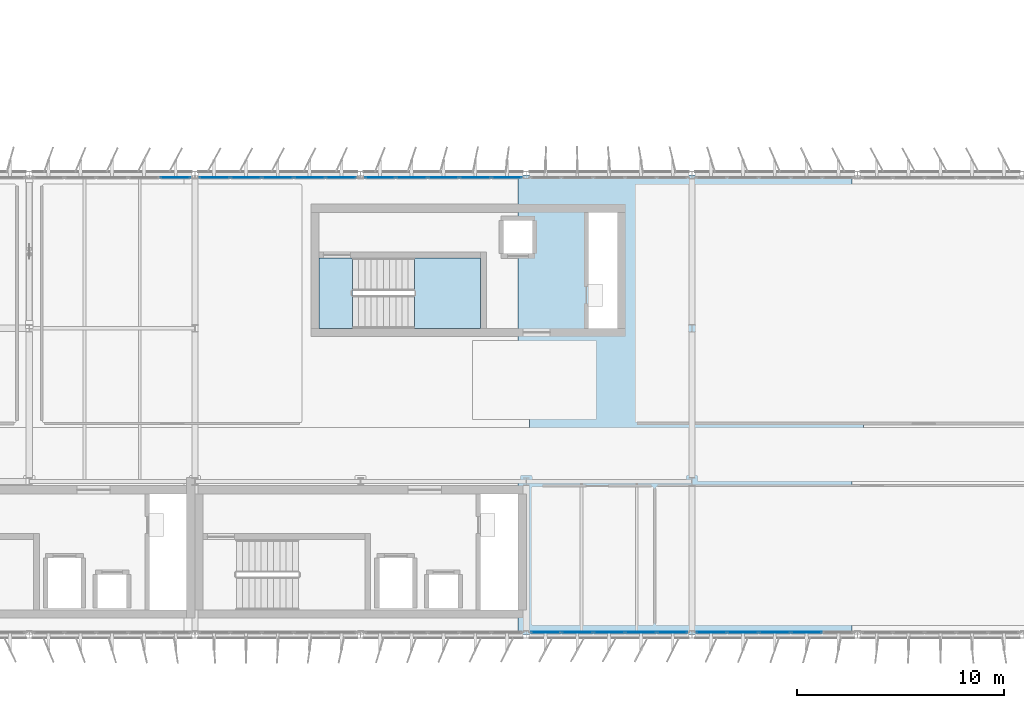
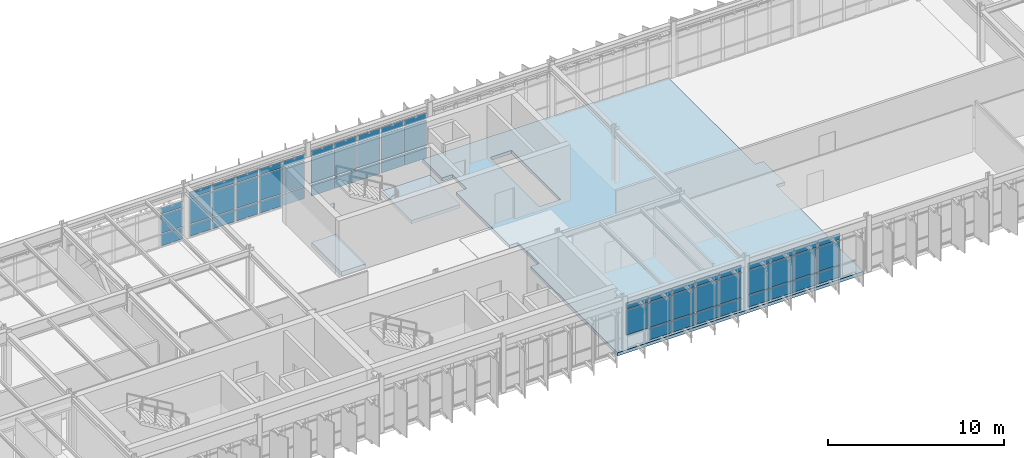
# One storey, part 26 of 45: 59 plates, 3 slabs, 6 elements without a shape of their own.
"""IFC4 building model written with IfcOpenShell, lengths in metres."""

from ifc_helpers import new_model, si_unit, direction, frame, origin, origin_2d, place, context, subcontext, project, spatial, polyline, rectangle, outline, extrude, material, layer, layer_set, type_object, element, aggregate, save


model = new_model("IFC4")

# Units and contexts
model_context = context("Model", 3, precision=1e-05, world=origin(), true_north=direction((0.0, 1.0)))
body_context = subcontext(model_context, "Body", "Model", "MODEL_VIEW")
ifc_project = project(units=[si_unit("LENGTHUNIT", "METRE"), si_unit("AREAUNIT", "SQUARE_METRE"), si_unit("VOLUMEUNIT", "CUBIC_METRE"), si_unit("PLANEANGLEUNIT", "RADIAN"), si_unit("MASSUNIT", "GRAM", prefix="KILO")], contexts=[model_context])

# Site, building, storey
site_placement = place(None, origin())
site = spatial("IfcSite", under=ifc_project, at=site_placement, CompositionType="ELEMENT")
building_placement = place(site_placement, origin())
building = spatial("IfcBuilding", under=site, at=building_placement, Name="Valkorina Park Police Headquarters", CompositionType="ELEMENT")
storey_placement = place(building_placement, frame((0.0, 0.0, 23.300048828125)))
storey = spatial("IfcBuildingStorey", under=building, at=storey_placement, Name="L06", CompositionType="ELEMENT", Elevation=23.300048828125)

# Curtain wall, plate
ifc_material_1 = material(Name="Thermally broken aluminium AW-6060", Category="aluminium")
ifc_layer_1 = layer(ifc_material_1, 0.18994140625)
ifc_layer_set_1 = layer_set([ifc_layer_1], Name="Thermally broken aluminium AW-6060")
curtain_wall_type_1 = type_object("IfcCurtainWallType", Name="CW-V5-7680x2770", PredefinedType="NOTDEFINED", material=ifc_layer_set_1)
curtain_wall_1_placement = place(storey_placement, origin())
curtain_wall_1 = element("IfcCurtainWall", 1, at=curtain_wall_1_placement, inside=storey, type_object=curtain_wall_type_1, Name="L06 Unitised Curtain Wall 103", PredefinedType="NOTDEFINED")
ifc_layer_2 = layer(ifc_material_1, 0.050048828125)
ifc_layer_set_2 = layer_set([ifc_layer_2], Name="Thermally broken aluminium AW-6060")
plate_type_1 = type_object("IfcPlateType", Name="PL-CWP-SPANDREL-50", PredefinedType="CURTAIN_PANEL", material=ifc_layer_set_2)
plate_1_placement = place(storey_placement, frame((31.8544921875, 59.080078125, 0.070068359375), z_axis=(0.0, 0.0, 1.0), x_axis=(1.0, 0.0, 0.0)))
plate_1 = element("IfcPlate", 2, at=plate_1_placement, type_object=plate_type_1, Name="CW-V5-768-277 panel 5.1", PredefinedType="CURTAIN_PANEL", context=body_context, shape_type="SweptSolid", body=[
    extrude(rectangle(XDim=1.430908203125, YDim=0.028076171875, at=origin_2d()), origin(), (0.0, 0.0, 1.0), 0.794921875),
])

# Curtain wall, plates
ifc_layer_3 = layer(ifc_material_1, 0.18994140625)
ifc_layer_set_3 = layer_set([ifc_layer_3], Name="Thermally broken aluminium AW-6060")
curtain_wall_type_2 = type_object("IfcCurtainWallType", Name="CW-V5-7680x3220", PredefinedType="NOTDEFINED", material=ifc_layer_set_3)
curtain_wall_2_placement = place(storey_placement, origin())
curtain_wall_2 = element("IfcCurtainWall", 3, at=curtain_wall_2_placement, inside=storey, type_object=curtain_wall_type_2, Name="L06 Unitised Curtain Wall 104", PredefinedType="NOTDEFINED")
plate_2_placement = place(storey_placement, frame((33.74560546875, 59.080078125, 0.070068359375), z_axis=(0.0, 0.0, 1.0), x_axis=(1.0, 0.0, 0.0)))
plate_2 = element("IfcPlate", 4, at=plate_2_placement, type_object=plate_type_1, Name="CW-V5-768-322 panel 1.1", PredefinedType="CURTAIN_PANEL", context=body_context, shape_type="SweptSolid", body=[
    extrude(rectangle(XDim=1.430908203125, YDim=0.028076171875, at=origin_2d()), origin(), (0.0, 0.0, 1.0), 0.794921875),
])
plate_3_placement = place(storey_placement, frame((35.263916015625, 59.080078125, 0.070068359375), z_axis=(0.0, 0.0, 1.0), x_axis=(1.0, 0.0, 0.0)))
plate_3 = element("IfcPlate", 5, at=plate_3_placement, type_object=plate_type_1, Name="CW-V5-768-322 panel 2.1", PredefinedType="CURTAIN_PANEL", context=body_context, shape_type="SweptSolid", body=[
    extrude(rectangle(XDim=1.466064453125, YDim=0.028076171875, at=origin_2d()), origin(), (0.0, 0.0, 1.0), 0.794921875),
])
plate_4_placement = place(storey_placement, frame((36.800048828125, 59.080078125, 0.070068359375), z_axis=(0.0, 0.0, 1.0), x_axis=(1.0, 0.0, 0.0)))
plate_4 = element("IfcPlate", 6, at=plate_4_placement, type_object=plate_type_1, Name="CW-V5-768-322 panel 3.1", PredefinedType="CURTAIN_PANEL", context=body_context, shape_type="SweptSolid", body=[
    extrude(rectangle(XDim=1.466064453125, YDim=0.028076171875, at=origin_2d()), origin(), (0.0, 0.0, 1.0), 0.794921875),
])
plate_5_placement = place(storey_placement, frame((38.3359375, 59.080078125, 0.070068359375), z_axis=(0.0, 0.0, 1.0), x_axis=(1.0, 0.0, 0.0)))
plate_5 = element("IfcPlate", 7, at=plate_5_placement, type_object=plate_type_1, Name="CW-V5-768-322 panel 4.1", PredefinedType="CURTAIN_PANEL", context=body_context, shape_type="SweptSolid", body=[
    extrude(rectangle(XDim=1.466064453125, YDim=0.028076171875, at=origin_2d()), origin(), (0.0, 0.0, 1.0), 0.794921875),
])
plate_6_placement = place(storey_placement, frame((39.8544921875, 59.080078125, 0.070068359375), z_axis=(0.0, 0.0, 1.0), x_axis=(1.0, 0.0, 0.0)))
plate_6 = element("IfcPlate", 8, at=plate_6_placement, type_object=plate_type_1, Name="CW-V5-768-322 panel 5.1", PredefinedType="CURTAIN_PANEL", context=body_context, shape_type="SweptSolid", body=[
    extrude(rectangle(XDim=1.430908203125, YDim=0.028076171875, at=origin_2d()), origin(), (0.0, 0.0, 1.0), 0.794921875),
])

ifc_layer_4 = layer(ifc_material_1, 0.18994140625)
ifc_layer_set_4 = layer_set([ifc_layer_4], Name="Thermally broken aluminium AW-6060")
curtain_wall_type_3 = type_object("IfcCurtainWallType", Name="CW-V5-7680x3280", PredefinedType="NOTDEFINED", material=ifc_layer_set_4)
curtain_wall_3_placement = place(storey_placement, origin())
curtain_wall_3 = element("IfcCurtainWall", 9, at=curtain_wall_3_placement, inside=storey, type_object=curtain_wall_type_3, Name="L06 Unitised Curtain Wall 105", PredefinedType="NOTDEFINED")
plate_7_placement = place(storey_placement, frame((41.74560546875, 59.080078125, 0.070068359375), z_axis=(0.0, 0.0, 1.0), x_axis=(1.0, 0.0, 0.0)))
plate_7 = element("IfcPlate", 10, at=plate_7_placement, type_object=plate_type_1, Name="CW-V5-768-328 panel 1.1", PredefinedType="CURTAIN_PANEL", context=body_context, shape_type="SweptSolid", body=[
    extrude(rectangle(XDim=1.430908203125, YDim=0.028076171875, at=origin_2d()), origin(), (0.0, 0.0, 1.0), 0.794921875),
])
plate_8_placement = place(storey_placement, frame((43.263916015625, 59.080078125, 0.070068359375), z_axis=(0.0, 0.0, 1.0), x_axis=(1.0, 0.0, 0.0)))
plate_8 = element("IfcPlate", 11, at=plate_8_placement, type_object=plate_type_1, Name="CW-V5-768-328 panel 2.1", PredefinedType="CURTAIN_PANEL", context=body_context, shape_type="SweptSolid", body=[
    extrude(rectangle(XDim=1.466064453125, YDim=0.028076171875, at=origin_2d()), origin(), (0.0, 0.0, 1.0), 0.794921875),
])
plate_9_placement = place(storey_placement, frame((44.800048828125, 59.080078125, 0.070068359375), z_axis=(0.0, 0.0, 1.0), x_axis=(1.0, 0.0, 0.0)))
plate_9 = element("IfcPlate", 12, at=plate_9_placement, type_object=plate_type_1, Name="CW-V5-768-328 panel 3.1", PredefinedType="CURTAIN_PANEL", context=body_context, shape_type="SweptSolid", body=[
    extrude(rectangle(XDim=1.466064453125, YDim=0.028076171875, at=origin_2d()), origin(), (0.0, 0.0, 1.0), 0.794921875),
])
plate_10_placement = place(storey_placement, frame((46.3359375, 59.080078125, 0.070068359375), z_axis=(0.0, 0.0, 1.0), x_axis=(1.0, 0.0, 0.0)))
plate_10 = element("IfcPlate", 13, at=plate_10_placement, type_object=plate_type_1, Name="CW-V5-768-328 panel 4.1", PredefinedType="CURTAIN_PANEL", context=body_context, shape_type="SweptSolid", body=[
    extrude(rectangle(XDim=1.466064453125, YDim=0.028076171875, at=origin_2d()), origin(), (0.0, 0.0, 1.0), 0.794921875),
])
plate_11_placement = place(storey_placement, frame((47.8544921875, 59.080078125, 0.070068359375), z_axis=(0.0, 0.0, 1.0), x_axis=(1.0, 0.0, 0.0)))
plate_11 = element("IfcPlate", 14, at=plate_11_placement, type_object=plate_type_1, Name="CW-V5-768-328 panel 5.1", PredefinedType="CURTAIN_PANEL", context=body_context, shape_type="SweptSolid", body=[
    extrude(rectangle(XDim=1.430908203125, YDim=0.028076171875, at=origin_2d()), origin(), (0.0, 0.0, 1.0), 0.794921875),
])

ifc_layer_5 = layer(ifc_material_1, 0.18994140625)
ifc_layer_set_5 = layer_set([ifc_layer_5], Name="Thermally broken aluminium AW-6060")
curtain_wall_type_4 = type_object("IfcCurtainWallType", Name="CW-V5-7680x3170", PredefinedType="NOTDEFINED", material=ifc_layer_set_5)
curtain_wall_4_placement = place(storey_placement, origin())
curtain_wall_4 = element("IfcCurtainWall", 15, at=curtain_wall_4_placement, inside=storey, type_object=curtain_wall_type_4, Name="L06 Unitised Curtain Wall 125", PredefinedType="NOTDEFINED")
plate_12_placement = place(storey_placement, frame((62.3359375, 37.1201171875, 0.070068359375), z_axis=(0.0, 0.0, 1.0), x_axis=(-1.0, 0.0, 0.0)))
plate_12 = element("IfcPlate", 16, at=plate_12_placement, type_object=plate_type_1, Name="CW-V5-768-317 panel 2.1", PredefinedType="CURTAIN_PANEL", context=body_context, shape_type="SweptSolid", body=[
    extrude(rectangle(XDim=1.466064453125, YDim=0.028076171875, at=origin_2d()), origin(), (0.0, 0.0, 1.0), 0.794921875),
])
plate_13_placement = place(storey_placement, frame((60.800048828125, 37.1201171875, 0.070068359375), z_axis=(0.0, 0.0, 1.0), x_axis=(-1.0, 0.0, 0.0)))
plate_13 = element("IfcPlate", 17, at=plate_13_placement, type_object=plate_type_1, Name="CW-V5-768-317 panel 3.1", PredefinedType="CURTAIN_PANEL", context=body_context, shape_type="SweptSolid", body=[
    extrude(rectangle(XDim=1.466064453125, YDim=0.028076171875, at=origin_2d()), origin(), (0.0, 0.0, 1.0), 0.794921875),
])
plate_14_placement = place(storey_placement, frame((59.263916015625, 37.1201171875, 0.070068359375), z_axis=(0.0, 0.0, 1.0), x_axis=(-1.0, 0.0, 0.0)))
plate_14 = element("IfcPlate", 18, at=plate_14_placement, type_object=plate_type_1, Name="CW-V5-768-317 panel 4.1", PredefinedType="CURTAIN_PANEL", context=body_context, shape_type="SweptSolid", body=[
    extrude(rectangle(XDim=1.466064453125, YDim=0.028076171875, at=origin_2d()), origin(), (0.0, 0.0, 1.0), 0.794921875),
])
plate_15_placement = place(storey_placement, frame((57.74560546875, 37.1201171875, 0.070068359375), z_axis=(0.0, 0.0, 1.0), x_axis=(-1.0, 0.0, 0.0)))
plate_15 = element("IfcPlate", 19, at=plate_15_placement, type_object=plate_type_1, Name="CW-V5-768-317 panel 5.1", PredefinedType="CURTAIN_PANEL", context=body_context, shape_type="SweptSolid", body=[
    extrude(rectangle(XDim=1.430908203125, YDim=0.028076171875, at=origin_2d()), origin(), (0.0, 0.0, 1.0), 0.794921875),
])

curtain_wall_5_placement = place(storey_placement, origin())
curtain_wall_5 = element("IfcCurtainWall", 20, at=curtain_wall_5_placement, inside=storey, type_object=curtain_wall_type_2, Name="L06 Unitised Curtain Wall 126", PredefinedType="NOTDEFINED")
plate_16_placement = place(storey_placement, frame((55.8544921875, 37.1201171875, 0.070068359375), z_axis=(0.0, 0.0, 1.0), x_axis=(-1.0, 0.0, 0.0)))
plate_16 = element("IfcPlate", 21, at=plate_16_placement, type_object=plate_type_1, Name="CW-V5-768-322 panel 1.1", PredefinedType="CURTAIN_PANEL", context=body_context, shape_type="SweptSolid", body=[
    extrude(rectangle(XDim=1.430908203125, YDim=0.028076171875, at=origin_2d()), origin(), (0.0, 0.0, 1.0), 0.794921875),
])
plate_17_placement = place(storey_placement, frame((54.3359375, 37.1201171875, 0.070068359375), z_axis=(0.0, 0.0, 1.0), x_axis=(-1.0, 0.0, 0.0)))
plate_17 = element("IfcPlate", 22, at=plate_17_placement, type_object=plate_type_1, Name="CW-V5-768-322 panel 2.1", PredefinedType="CURTAIN_PANEL", context=body_context, shape_type="SweptSolid", body=[
    extrude(rectangle(XDim=1.466064453125, YDim=0.028076171875, at=origin_2d()), origin(), (0.0, 0.0, 1.0), 0.794921875),
])
plate_18_placement = place(storey_placement, frame((52.800048828125, 37.1201171875, 0.070068359375), z_axis=(0.0, 0.0, 1.0), x_axis=(-1.0, 0.0, 0.0)))
plate_18 = element("IfcPlate", 23, at=plate_18_placement, type_object=plate_type_1, Name="CW-V5-768-322 panel 3.1", PredefinedType="CURTAIN_PANEL", context=body_context, shape_type="SweptSolid", body=[
    extrude(rectangle(XDim=1.466064453125, YDim=0.028076171875, at=origin_2d()), origin(), (0.0, 0.0, 1.0), 0.794921875),
])
plate_19_placement = place(storey_placement, frame((51.263916015625, 37.1201171875, 0.070068359375), z_axis=(0.0, 0.0, 1.0), x_axis=(-1.0, 0.0, 0.0)))
plate_19 = element("IfcPlate", 24, at=plate_19_placement, type_object=plate_type_1, Name="CW-V5-768-322 panel 4.1", PredefinedType="CURTAIN_PANEL", context=body_context, shape_type="SweptSolid", body=[
    extrude(rectangle(XDim=1.466064453125, YDim=0.028076171875, at=origin_2d()), origin(), (0.0, 0.0, 1.0), 0.794921875),
])

# Plate
ifc_material_2 = material(Name="Triple low-E insulated glazing", Category="glass")
ifc_layer_6 = layer(ifc_material_2, 0.028076171875)
ifc_layer_set_6 = layer_set([ifc_layer_6], Name="Triple low-E insulated glazing")
plate_type_2 = type_object("IfcPlateType", Name="PL-CWP-VISION-28", PredefinedType="CURTAIN_PANEL", material=ifc_layer_set_6)
plate_20_placement = place(storey_placement, frame((31.8544921875, 59.080078125, 0.93505859375), z_axis=(0.0, 0.0, 1.0), x_axis=(1.0, 0.0, 0.0)))
plate_20 = element("IfcPlate", 25, at=plate_20_placement, type_object=plate_type_2, Name="CW-V5-768-277 panel 5.2", PredefinedType="CURTAIN_PANEL", context=body_context, shape_type="SweptSolid", body=[
    extrude(rectangle(XDim=1.430908203125, YDim=0.028076171875, at=origin_2d()), origin(), (0.0, 0.0, 1.0), 1.280029296875),
])

plate_21_placement = place(storey_placement, frame((31.8544921875, 59.080078125, 2.284912109375), z_axis=(0.0, 0.0, 1.0), x_axis=(1.0, 0.0, 0.0)))
plate_21 = element("IfcPlate", 26, at=plate_21_placement, type_object=plate_type_2, Name="CW-V5-768-277 panel 5.3", PredefinedType="CURTAIN_PANEL", context=body_context, shape_type="SweptSolid", body=[
    extrude(rectangle(XDim=1.430908203125, YDim=0.028076171875, at=origin_2d()), origin(), (0.0, 0.0, 1.0), 0.4150390625),
])

aggregate(curtain_wall_1, [plate_1, plate_20, plate_21])

plate_22_placement = place(storey_placement, frame((33.74560546875, 59.080078125, 0.93505859375), z_axis=(0.0, 0.0, 1.0), x_axis=(1.0, 0.0, 0.0)))
plate_22 = element("IfcPlate", 27, at=plate_22_placement, type_object=plate_type_2, Name="CW-V5-768-322 panel 1.2", PredefinedType="CURTAIN_PANEL", context=body_context, shape_type="SweptSolid", body=[
    extrude(rectangle(XDim=1.430908203125, YDim=0.028076171875, at=origin_2d()), origin(), (0.0, 0.0, 1.0), 1.72998046875),
])

plate_23_placement = place(storey_placement, frame((33.74560546875, 59.080078125, 2.73486328125), z_axis=(0.0, 0.0, 1.0), x_axis=(1.0, 0.0, 0.0)))
plate_23 = element("IfcPlate", 28, at=plate_23_placement, type_object=plate_type_2, Name="CW-V5-768-322 panel 1.3", PredefinedType="CURTAIN_PANEL", context=body_context, shape_type="SweptSolid", body=[
    extrude(rectangle(XDim=1.430908203125, YDim=0.028076171875, at=origin_2d()), origin(), (0.0, 0.0, 1.0), 0.4150390625),
])

plate_24_placement = place(storey_placement, frame((35.263916015625, 59.080078125, 0.93505859375), z_axis=(0.0, 0.0, 1.0), x_axis=(1.0, 0.0, 0.0)))
plate_24 = element("IfcPlate", 29, at=plate_24_placement, type_object=plate_type_2, Name="CW-V5-768-322 panel 2.2", PredefinedType="CURTAIN_PANEL", context=body_context, shape_type="SweptSolid", body=[
    extrude(rectangle(XDim=1.466064453125, YDim=0.028076171875, at=origin_2d()), origin(), (0.0, 0.0, 1.0), 1.72998046875),
])

plate_25_placement = place(storey_placement, frame((35.263916015625, 59.080078125, 2.73486328125), z_axis=(0.0, 0.0, 1.0), x_axis=(1.0, 0.0, 0.0)))
plate_25 = element("IfcPlate", 30, at=plate_25_placement, type_object=plate_type_2, Name="CW-V5-768-322 panel 2.3", PredefinedType="CURTAIN_PANEL", context=body_context, shape_type="SweptSolid", body=[
    extrude(rectangle(XDim=1.466064453125, YDim=0.028076171875, at=origin_2d()), origin(), (0.0, 0.0, 1.0), 0.4150390625),
])

plate_26_placement = place(storey_placement, frame((36.800048828125, 59.080078125, 0.93505859375), z_axis=(0.0, 0.0, 1.0), x_axis=(1.0, 0.0, 0.0)))
plate_26 = element("IfcPlate", 31, at=plate_26_placement, type_object=plate_type_2, Name="CW-V5-768-322 panel 3.2", PredefinedType="CURTAIN_PANEL", context=body_context, shape_type="SweptSolid", body=[
    extrude(rectangle(XDim=1.466064453125, YDim=0.028076171875, at=origin_2d()), origin(), (0.0, 0.0, 1.0), 1.72998046875),
])

plate_27_placement = place(storey_placement, frame((36.800048828125, 59.080078125, 2.73486328125), z_axis=(0.0, 0.0, 1.0), x_axis=(1.0, 0.0, 0.0)))
plate_27 = element("IfcPlate", 32, at=plate_27_placement, type_object=plate_type_2, Name="CW-V5-768-322 panel 3.3", PredefinedType="CURTAIN_PANEL", context=body_context, shape_type="SweptSolid", body=[
    extrude(rectangle(XDim=1.466064453125, YDim=0.028076171875, at=origin_2d()), origin(), (0.0, 0.0, 1.0), 0.4150390625),
])

plate_28_placement = place(storey_placement, frame((38.3359375, 59.080078125, 0.93505859375), z_axis=(0.0, 0.0, 1.0), x_axis=(1.0, 0.0, 0.0)))
plate_28 = element("IfcPlate", 33, at=plate_28_placement, type_object=plate_type_2, Name="CW-V5-768-322 panel 4.2", PredefinedType="CURTAIN_PANEL", context=body_context, shape_type="SweptSolid", body=[
    extrude(rectangle(XDim=1.466064453125, YDim=0.028076171875, at=origin_2d()), origin(), (0.0, 0.0, 1.0), 1.72998046875),
])

plate_29_placement = place(storey_placement, frame((38.3359375, 59.080078125, 2.73486328125), z_axis=(0.0, 0.0, 1.0), x_axis=(1.0, 0.0, 0.0)))
plate_29 = element("IfcPlate", 34, at=plate_29_placement, type_object=plate_type_2, Name="CW-V5-768-322 panel 4.3", PredefinedType="CURTAIN_PANEL", context=body_context, shape_type="SweptSolid", body=[
    extrude(rectangle(XDim=1.466064453125, YDim=0.028076171875, at=origin_2d()), origin(), (0.0, 0.0, 1.0), 0.4150390625),
])

plate_30_placement = place(storey_placement, frame((39.8544921875, 59.080078125, 0.93505859375), z_axis=(0.0, 0.0, 1.0), x_axis=(1.0, 0.0, 0.0)))
plate_30 = element("IfcPlate", 35, at=plate_30_placement, type_object=plate_type_2, Name="CW-V5-768-322 panel 5.2", PredefinedType="CURTAIN_PANEL", context=body_context, shape_type="SweptSolid", body=[
    extrude(rectangle(XDim=1.430908203125, YDim=0.028076171875, at=origin_2d()), origin(), (0.0, 0.0, 1.0), 1.72998046875),
])

plate_31_placement = place(storey_placement, frame((39.8544921875, 59.080078125, 2.73486328125), z_axis=(0.0, 0.0, 1.0), x_axis=(1.0, 0.0, 0.0)))
plate_31 = element("IfcPlate", 36, at=plate_31_placement, type_object=plate_type_2, Name="CW-V5-768-322 panel 5.3", PredefinedType="CURTAIN_PANEL", context=body_context, shape_type="SweptSolid", body=[
    extrude(rectangle(XDim=1.430908203125, YDim=0.028076171875, at=origin_2d()), origin(), (0.0, 0.0, 1.0), 0.4150390625),
])

aggregate(curtain_wall_2, [plate_2, plate_22, plate_23, plate_3, plate_24, plate_25, plate_4, plate_26, plate_27, plate_5, plate_28, plate_29, plate_6, plate_30, plate_31])

plate_32_placement = place(storey_placement, frame((41.74560546875, 59.080078125, 0.934814453125), z_axis=(0.0, 0.0, 1.0), x_axis=(1.0, 0.0, 0.0)))
plate_32 = element("IfcPlate", 37, at=plate_32_placement, type_object=plate_type_2, Name="CW-V5-768-328 panel 1.2", PredefinedType="CURTAIN_PANEL", context=body_context, shape_type="SweptSolid", body=[
    extrude(rectangle(XDim=1.430908203125, YDim=0.028076171875, at=origin_2d()), origin(), (0.0, 0.0, 1.0), 1.7900390625),
])

plate_33_placement = place(storey_placement, frame((41.74560546875, 59.080078125, 2.794921875), z_axis=(0.0, 0.0, 1.0), x_axis=(1.0, 0.0, 0.0)))
plate_33 = element("IfcPlate", 38, at=plate_33_placement, type_object=plate_type_2, Name="CW-V5-768-328 panel 1.3", PredefinedType="CURTAIN_PANEL", context=body_context, shape_type="SweptSolid", body=[
    extrude(rectangle(XDim=1.430908203125, YDim=0.028076171875, at=origin_2d()), origin(), (0.0, 0.0, 1.0), 0.4150390625),
])

plate_34_placement = place(storey_placement, frame((43.263916015625, 59.080078125, 0.934814453125), z_axis=(0.0, 0.0, 1.0), x_axis=(1.0, 0.0, 0.0)))
plate_34 = element("IfcPlate", 39, at=plate_34_placement, type_object=plate_type_2, Name="CW-V5-768-328 panel 2.2", PredefinedType="CURTAIN_PANEL", context=body_context, shape_type="SweptSolid", body=[
    extrude(rectangle(XDim=1.466064453125, YDim=0.028076171875, at=origin_2d()), origin(), (0.0, 0.0, 1.0), 1.7900390625),
])

plate_35_placement = place(storey_placement, frame((43.263916015625, 59.080078125, 2.794921875), z_axis=(0.0, 0.0, 1.0), x_axis=(1.0, 0.0, 0.0)))
plate_35 = element("IfcPlate", 40, at=plate_35_placement, type_object=plate_type_2, Name="CW-V5-768-328 panel 2.3", PredefinedType="CURTAIN_PANEL", context=body_context, shape_type="SweptSolid", body=[
    extrude(rectangle(XDim=1.466064453125, YDim=0.028076171875, at=origin_2d()), origin(), (0.0, 0.0, 1.0), 0.4150390625),
])

plate_36_placement = place(storey_placement, frame((44.800048828125, 59.080078125, 0.934814453125), z_axis=(0.0, 0.0, 1.0), x_axis=(1.0, 0.0, 0.0)))
plate_36 = element("IfcPlate", 41, at=plate_36_placement, type_object=plate_type_2, Name="CW-V5-768-328 panel 3.2", PredefinedType="CURTAIN_PANEL", context=body_context, shape_type="SweptSolid", body=[
    extrude(rectangle(XDim=1.466064453125, YDim=0.028076171875, at=origin_2d()), origin(), (0.0, 0.0, 1.0), 1.7900390625),
])

plate_37_placement = place(storey_placement, frame((44.800048828125, 59.080078125, 2.794921875), z_axis=(0.0, 0.0, 1.0), x_axis=(1.0, 0.0, 0.0)))
plate_37 = element("IfcPlate", 42, at=plate_37_placement, type_object=plate_type_2, Name="CW-V5-768-328 panel 3.3", PredefinedType="CURTAIN_PANEL", context=body_context, shape_type="SweptSolid", body=[
    extrude(rectangle(XDim=1.466064453125, YDim=0.028076171875, at=origin_2d()), origin(), (0.0, 0.0, 1.0), 0.4150390625),
])

plate_38_placement = place(storey_placement, frame((46.3359375, 59.080078125, 0.934814453125), z_axis=(0.0, 0.0, 1.0), x_axis=(1.0, 0.0, 0.0)))
plate_38 = element("IfcPlate", 43, at=plate_38_placement, type_object=plate_type_2, Name="CW-V5-768-328 panel 4.2", PredefinedType="CURTAIN_PANEL", context=body_context, shape_type="SweptSolid", body=[
    extrude(rectangle(XDim=1.466064453125, YDim=0.028076171875, at=origin_2d()), origin(), (0.0, 0.0, 1.0), 1.7900390625),
])

plate_39_placement = place(storey_placement, frame((46.3359375, 59.080078125, 2.794921875), z_axis=(0.0, 0.0, 1.0), x_axis=(1.0, 0.0, 0.0)))
plate_39 = element("IfcPlate", 44, at=plate_39_placement, type_object=plate_type_2, Name="CW-V5-768-328 panel 4.3", PredefinedType="CURTAIN_PANEL", context=body_context, shape_type="SweptSolid", body=[
    extrude(rectangle(XDim=1.466064453125, YDim=0.028076171875, at=origin_2d()), origin(), (0.0, 0.0, 1.0), 0.4150390625),
])

plate_40_placement = place(storey_placement, frame((47.8544921875, 59.080078125, 0.934814453125), z_axis=(0.0, 0.0, 1.0), x_axis=(1.0, 0.0, 0.0)))
plate_40 = element("IfcPlate", 45, at=plate_40_placement, type_object=plate_type_2, Name="CW-V5-768-328 panel 5.2", PredefinedType="CURTAIN_PANEL", context=body_context, shape_type="SweptSolid", body=[
    extrude(rectangle(XDim=1.430908203125, YDim=0.028076171875, at=origin_2d()), origin(), (0.0, 0.0, 1.0), 1.7900390625),
])

plate_41_placement = place(storey_placement, frame((47.8544921875, 59.080078125, 2.794921875), z_axis=(0.0, 0.0, 1.0), x_axis=(1.0, 0.0, 0.0)))
plate_41 = element("IfcPlate", 46, at=plate_41_placement, type_object=plate_type_2, Name="CW-V5-768-328 panel 5.3", PredefinedType="CURTAIN_PANEL", context=body_context, shape_type="SweptSolid", body=[
    extrude(rectangle(XDim=1.430908203125, YDim=0.028076171875, at=origin_2d()), origin(), (0.0, 0.0, 1.0), 0.4150390625),
])

aggregate(curtain_wall_3, [plate_7, plate_32, plate_33, plate_8, plate_34, plate_35, plate_9, plate_36, plate_37, plate_10, plate_38, plate_39, plate_11, plate_40, plate_41])

plate_42_placement = place(storey_placement, frame((62.3359375, 37.1201171875, 0.93505859375), z_axis=(0.0, 0.0, 1.0), x_axis=(-1.0, 0.0, 0.0)))
plate_42 = element("IfcPlate", 47, at=plate_42_placement, type_object=plate_type_2, Name="CW-V5-768-317 panel 2.2", PredefinedType="CURTAIN_PANEL", context=body_context, shape_type="SweptSolid", body=[
    extrude(rectangle(XDim=1.466064453125, YDim=0.028076171875, at=origin_2d()), origin(), (0.0, 0.0, 1.0), 1.679931640625),
])

plate_43_placement = place(storey_placement, frame((62.3359375, 37.1201171875, 2.684814453125), z_axis=(0.0, 0.0, 1.0), x_axis=(-1.0, 0.0, 0.0)))
plate_43 = element("IfcPlate", 48, at=plate_43_placement, type_object=plate_type_2, Name="CW-V5-768-317 panel 2.3", PredefinedType="CURTAIN_PANEL", context=body_context, shape_type="SweptSolid", body=[
    extrude(rectangle(XDim=1.466064453125, YDim=0.028076171875, at=origin_2d()), origin(), (0.0, 0.0, 1.0), 0.4150390625),
])

plate_44_placement = place(storey_placement, frame((60.800048828125, 37.1201171875, 0.93505859375), z_axis=(0.0, 0.0, 1.0), x_axis=(-1.0, 0.0, 0.0)))
plate_44 = element("IfcPlate", 49, at=plate_44_placement, type_object=plate_type_2, Name="CW-V5-768-317 panel 3.2", PredefinedType="CURTAIN_PANEL", context=body_context, shape_type="SweptSolid", body=[
    extrude(rectangle(XDim=1.466064453125, YDim=0.028076171875, at=origin_2d()), origin(), (0.0, 0.0, 1.0), 1.679931640625),
])

plate_45_placement = place(storey_placement, frame((60.800048828125, 37.1201171875, 2.684814453125), z_axis=(0.0, 0.0, 1.0), x_axis=(-1.0, 0.0, 0.0)))
plate_45 = element("IfcPlate", 50, at=plate_45_placement, type_object=plate_type_2, Name="CW-V5-768-317 panel 3.3", PredefinedType="CURTAIN_PANEL", context=body_context, shape_type="SweptSolid", body=[
    extrude(rectangle(XDim=1.466064453125, YDim=0.028076171875, at=origin_2d()), origin(), (0.0, 0.0, 1.0), 0.4150390625),
])

plate_46_placement = place(storey_placement, frame((59.263916015625, 37.1201171875, 0.93505859375), z_axis=(0.0, 0.0, 1.0), x_axis=(-1.0, 0.0, 0.0)))
plate_46 = element("IfcPlate", 51, at=plate_46_placement, type_object=plate_type_2, Name="CW-V5-768-317 panel 4.2", PredefinedType="CURTAIN_PANEL", context=body_context, shape_type="SweptSolid", body=[
    extrude(rectangle(XDim=1.466064453125, YDim=0.028076171875, at=origin_2d()), origin(), (0.0, 0.0, 1.0), 1.679931640625),
])

plate_47_placement = place(storey_placement, frame((59.263916015625, 37.1201171875, 2.684814453125), z_axis=(0.0, 0.0, 1.0), x_axis=(-1.0, 0.0, 0.0)))
plate_47 = element("IfcPlate", 52, at=plate_47_placement, type_object=plate_type_2, Name="CW-V5-768-317 panel 4.3", PredefinedType="CURTAIN_PANEL", context=body_context, shape_type="SweptSolid", body=[
    extrude(rectangle(XDim=1.466064453125, YDim=0.028076171875, at=origin_2d()), origin(), (0.0, 0.0, 1.0), 0.4150390625),
])

plate_48_placement = place(storey_placement, frame((57.74560546875, 37.1201171875, 0.93505859375), z_axis=(0.0, 0.0, 1.0), x_axis=(-1.0, 0.0, 0.0)))
plate_48 = element("IfcPlate", 53, at=plate_48_placement, type_object=plate_type_2, Name="CW-V5-768-317 panel 5.2", PredefinedType="CURTAIN_PANEL", context=body_context, shape_type="SweptSolid", body=[
    extrude(rectangle(XDim=1.430908203125, YDim=0.028076171875, at=origin_2d()), origin(), (0.0, 0.0, 1.0), 1.679931640625),
])

plate_49_placement = place(storey_placement, frame((57.74560546875, 37.1201171875, 2.684814453125), z_axis=(0.0, 0.0, 1.0), x_axis=(-1.0, 0.0, 0.0)))
plate_49 = element("IfcPlate", 54, at=plate_49_placement, type_object=plate_type_2, Name="CW-V5-768-317 panel 5.3", PredefinedType="CURTAIN_PANEL", context=body_context, shape_type="SweptSolid", body=[
    extrude(rectangle(XDim=1.430908203125, YDim=0.028076171875, at=origin_2d()), origin(), (0.0, 0.0, 1.0), 0.4150390625),
])

aggregate(curtain_wall_4, [plate_12, plate_42, plate_43, plate_13, plate_44, plate_45, plate_14, plate_46, plate_47, plate_15, plate_48, plate_49])

plate_50_placement = place(storey_placement, frame((55.8544921875, 37.1201171875, 0.93505859375), z_axis=(0.0, 0.0, 1.0), x_axis=(-1.0, 0.0, 0.0)))
plate_50 = element("IfcPlate", 55, at=plate_50_placement, type_object=plate_type_2, Name="CW-V5-768-322 panel 1.2", PredefinedType="CURTAIN_PANEL", context=body_context, shape_type="SweptSolid", body=[
    extrude(rectangle(XDim=1.430908203125, YDim=0.028076171875, at=origin_2d()), origin(), (0.0, 0.0, 1.0), 1.72998046875),
])

plate_51_placement = place(storey_placement, frame((55.8544921875, 37.1201171875, 2.73486328125), z_axis=(0.0, 0.0, 1.0), x_axis=(-1.0, 0.0, 0.0)))
plate_51 = element("IfcPlate", 56, at=plate_51_placement, type_object=plate_type_2, Name="CW-V5-768-322 panel 1.3", PredefinedType="CURTAIN_PANEL", context=body_context, shape_type="SweptSolid", body=[
    extrude(rectangle(XDim=1.430908203125, YDim=0.028076171875, at=origin_2d()), origin(), (0.0, 0.0, 1.0), 0.4150390625),
])

plate_52_placement = place(storey_placement, frame((54.3359375, 37.1201171875, 0.93505859375), z_axis=(0.0, 0.0, 1.0), x_axis=(-1.0, 0.0, 0.0)))
plate_52 = element("IfcPlate", 57, at=plate_52_placement, type_object=plate_type_2, Name="CW-V5-768-322 panel 2.2", PredefinedType="CURTAIN_PANEL", context=body_context, shape_type="SweptSolid", body=[
    extrude(rectangle(XDim=1.466064453125, YDim=0.028076171875, at=origin_2d()), origin(), (0.0, 0.0, 1.0), 1.72998046875),
])

plate_53_placement = place(storey_placement, frame((54.3359375, 37.1201171875, 2.73486328125), z_axis=(0.0, 0.0, 1.0), x_axis=(-1.0, 0.0, 0.0)))
plate_53 = element("IfcPlate", 58, at=plate_53_placement, type_object=plate_type_2, Name="CW-V5-768-322 panel 2.3", PredefinedType="CURTAIN_PANEL", context=body_context, shape_type="SweptSolid", body=[
    extrude(rectangle(XDim=1.466064453125, YDim=0.028076171875, at=origin_2d()), origin(), (0.0, 0.0, 1.0), 0.4150390625),
])

plate_54_placement = place(storey_placement, frame((52.800048828125, 37.1201171875, 0.93505859375), z_axis=(0.0, 0.0, 1.0), x_axis=(-1.0, 0.0, 0.0)))
plate_54 = element("IfcPlate", 59, at=plate_54_placement, type_object=plate_type_2, Name="CW-V5-768-322 panel 3.2", PredefinedType="CURTAIN_PANEL", context=body_context, shape_type="SweptSolid", body=[
    extrude(rectangle(XDim=1.466064453125, YDim=0.028076171875, at=origin_2d()), origin(), (0.0, 0.0, 1.0), 1.72998046875),
])

plate_55_placement = place(storey_placement, frame((52.800048828125, 37.1201171875, 2.73486328125), z_axis=(0.0, 0.0, 1.0), x_axis=(-1.0, 0.0, 0.0)))
plate_55 = element("IfcPlate", 60, at=plate_55_placement, type_object=plate_type_2, Name="CW-V5-768-322 panel 3.3", PredefinedType="CURTAIN_PANEL", context=body_context, shape_type="SweptSolid", body=[
    extrude(rectangle(XDim=1.466064453125, YDim=0.028076171875, at=origin_2d()), origin(), (0.0, 0.0, 1.0), 0.4150390625),
])

plate_56_placement = place(storey_placement, frame((51.263916015625, 37.1201171875, 0.93505859375), z_axis=(0.0, 0.0, 1.0), x_axis=(-1.0, 0.0, 0.0)))
plate_56 = element("IfcPlate", 61, at=plate_56_placement, type_object=plate_type_2, Name="CW-V5-768-322 panel 4.2", PredefinedType="CURTAIN_PANEL", context=body_context, shape_type="SweptSolid", body=[
    extrude(rectangle(XDim=1.466064453125, YDim=0.028076171875, at=origin_2d()), origin(), (0.0, 0.0, 1.0), 1.72998046875),
])

plate_57_placement = place(storey_placement, frame((51.263916015625, 37.1201171875, 2.73486328125), z_axis=(0.0, 0.0, 1.0), x_axis=(-1.0, 0.0, 0.0)))
plate_57 = element("IfcPlate", 62, at=plate_57_placement, type_object=plate_type_2, Name="CW-V5-768-322 panel 4.3", PredefinedType="CURTAIN_PANEL", context=body_context, shape_type="SweptSolid", body=[
    extrude(rectangle(XDim=1.466064453125, YDim=0.028076171875, at=origin_2d()), origin(), (0.0, 0.0, 1.0), 0.4150390625),
])

plate_58_placement = place(storey_placement, frame((49.74560546875, 37.1201171875, 0.93505859375), z_axis=(0.0, 0.0, 1.0), x_axis=(-1.0, 0.0, 0.0)))
plate_58 = element("IfcPlate", 63, at=plate_58_placement, type_object=plate_type_2, Name="CW-V5-768-322 panel 5.2", PredefinedType="CURTAIN_PANEL", context=body_context, shape_type="SweptSolid", body=[
    extrude(rectangle(XDim=1.430908203125, YDim=0.028076171875, at=origin_2d()), origin(), (0.0, 0.0, 1.0), 1.72998046875),
])

plate_59_placement = place(storey_placement, frame((49.74560546875, 37.1201171875, 2.73486328125), z_axis=(0.0, 0.0, 1.0), x_axis=(-1.0, 0.0, 0.0)))
plate_59 = element("IfcPlate", 64, at=plate_59_placement, type_object=plate_type_2, Name="CW-V5-768-322 panel 5.3", PredefinedType="CURTAIN_PANEL", context=body_context, shape_type="SweptSolid", body=[
    extrude(rectangle(XDim=1.430908203125, YDim=0.028076171875, at=origin_2d()), origin(), (0.0, 0.0, 1.0), 0.4150390625),
])

aggregate(curtain_wall_5, [plate_16, plate_50, plate_51, plate_17, plate_52, plate_53, plate_18, plate_54, plate_55, plate_19, plate_56, plate_57, plate_58, plate_59])

# Slab
ifc_material_3 = material(Name="Concrete C35/45", Category="concrete")
ifc_layer_7 = layer(ifc_material_3, 0.219970703125)
ifc_layer_set_7 = layer_set([ifc_layer_7], Name="Concrete C35/45")
slab_type_1 = type_object("IfcSlabType", Name="SL-COMP-OFF-150", PredefinedType="FLOOR", material=ifc_layer_set_7)
slab_1_placement = place(storey_placement, frame((0.0, 0.0, -0.219970703125)))
element("IfcSlab", 65, at=slab_1_placement, inside=storey, type_object=slab_type_1, Name="L06 Structural Floor Slab 102", PredefinedType="FLOOR", context=body_context, shape_type="SweptSolid", body=[
    extrude(outline(polyline([(65.083251953125, 49.2958984375), (64.533203125, 49.2958984375), (64.533203125, 59.19189453125), (48.39990234375, 59.19189453125), (48.39990234375, 57.0), (49.10009765625, 57.0), (49.10009765625, 55.39990234375), (48.39990234375, 55.39990234375), (48.39990234375, 49.2958984375), (48.949951171875, 49.2958984375), (48.949951171875, 46.89599609375), (48.39990234375, 46.89599609375), (48.39990234375, 43.800048828125), (48.39990234375, 38.199951171875), (48.39990234375, 37.0), (64.533203125, 37.0), (64.533203125, 46.89599609375), (65.083251953125, 46.89599609375), (65.083251953125, 49.2958984375)]), holes=[polyline([(53.199951171875, 51.800048828125), (51.800048828125, 51.800048828125), (51.800048828125, 57.39990234375), (53.199951171875, 57.39990234375), (53.199951171875, 51.800048828125)])]), origin(), (0.0, 0.0, 1.0), 0.219970703125),
])

# Stair, slab
stair_type = type_object("IfcStairType", Name="ST-DOGLEG-160-39", PredefinedType="HALF_TURN_STAIR", material=ifc_material_3)
stair_placement = place(storey_placement, origin())
stair = element("IfcStair", 66, at=stair_placement, inside=storey, type_object=stair_type, Name="L06 Core C3 Protected Stair (ST-07)", PredefinedType="HALF_TURN_STAIR")
ifc_layer_8 = layer(ifc_material_3, 0.22998046875)
ifc_layer_set_8 = layer_set([ifc_layer_8], Name="Concrete C35/45")
slab_type_2 = type_object("IfcSlabType", Name="SL-LANDING-230", PredefinedType="LANDING", material=ifc_layer_set_8)
slab_2_placement = place(storey_placement, frame((0.0, 0.0, 1.719970703125)))
slab_2 = element("IfcSlab", 67, at=slab_2_placement, type_object=slab_type_2, Name="ST-07 landing 1", PredefinedType="LANDING", context=body_context, shape_type="SweptSolid", body=[
    extrude(outline(polyline([(43.39990234375, 51.800048828125), (46.60009765625, 51.800048828125), (46.60009765625, 55.199951171875), (43.39990234375, 55.199951171875), (43.39990234375, 51.800048828125)])), origin(), (0.0, 0.0, 1.0), 0.22998046875),
])
aggregate(stair, [slab_2])

# Slab
ifc_material_4 = material(Name="Concrete C40/50", Category="concrete")
ifc_layer_9 = layer(ifc_material_4, 0.300048828125)
ifc_layer_set_9 = layer_set([ifc_layer_9], Name="Concrete C40/50")
slab_type_3 = type_object("IfcSlabType", Name="SL-VAULT-300", PredefinedType="FLOOR", material=ifc_layer_set_9)
slab_3_placement = place(storey_placement, frame((0.0, 0.0, -0.300048828125)))
element("IfcSlab", 68, at=slab_3_placement, inside=storey, type_object=slab_type_3, Name="L06 Core C3 Structural Floor Landing Slab", PredefinedType="FLOOR", context=body_context, shape_type="SweptSolid", body=[
    extrude(outline(polyline([(38.800048828125, 51.800048828125), (40.39990234375, 51.800048828125), (40.39990234375, 55.199951171875), (38.800048828125, 55.199951171875), (38.800048828125, 51.800048828125)])), origin(), (0.0, 0.0, 1.0), 0.300048828125),
])

save(model, "model.ifc")
